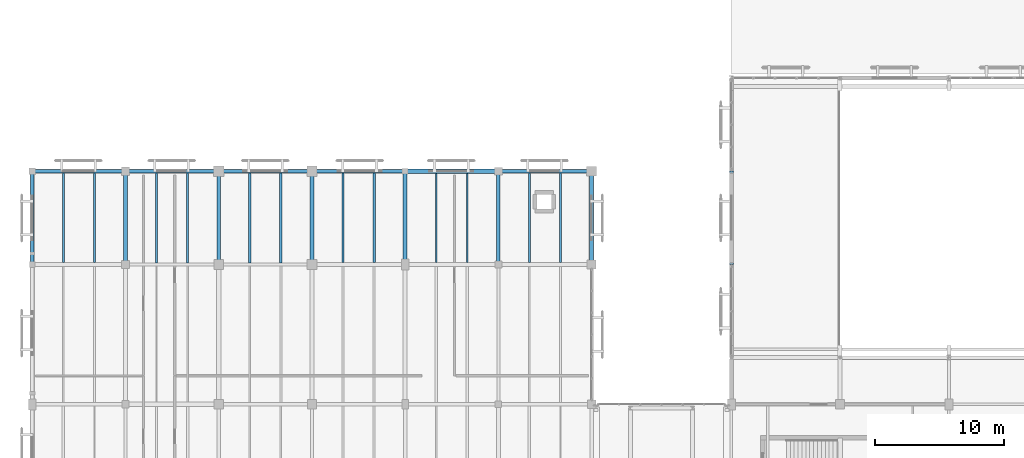
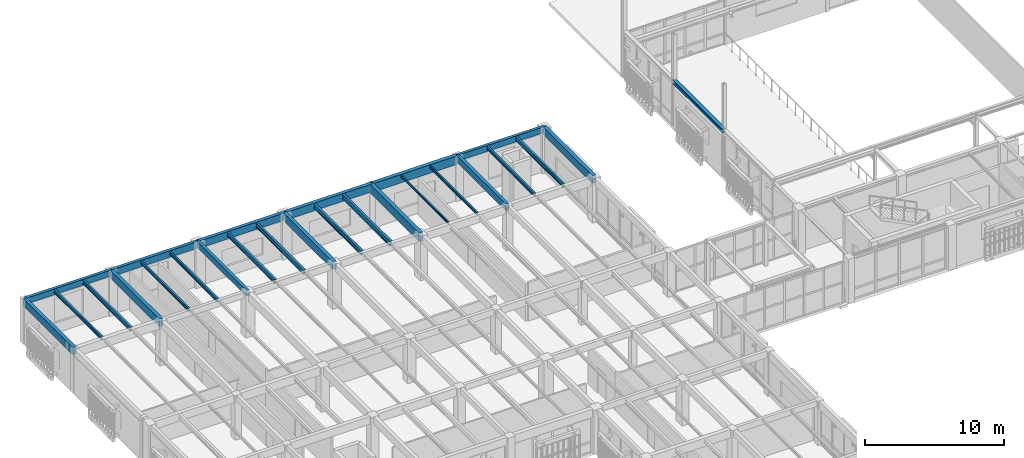
# One storey, part 71 of 170: 26 beams.
"""IFC4 building model written with IfcOpenShell, lengths in metres."""

from ifc_helpers import new_model, si_unit, direction, frame, origin, origin_2d, place, context, subcontext, project, spatial, rectangle, i_section, extrude, material, material_profile, profile_set, type_object, element, save


model = new_model("IFC4")

# Units and contexts
model_context = context("Model", 3, precision=1e-05, world=origin(), true_north=direction((0.0, 1.0)))
body_context = subcontext(model_context, "Body", "Model", "MODEL_VIEW")
ifc_project = project(units=[si_unit("LENGTHUNIT", "METRE"), si_unit("AREAUNIT", "SQUARE_METRE"), si_unit("VOLUMEUNIT", "CUBIC_METRE"), si_unit("PLANEANGLEUNIT", "RADIAN"), si_unit("MASSUNIT", "GRAM", prefix="KILO")], contexts=[model_context])

# Site, building, storey
site_placement = place(None, origin())
site = spatial("IfcSite", under=ifc_project, at=site_placement, CompositionType="ELEMENT")
building_placement = place(site_placement, origin())
building = spatial("IfcBuilding", under=site, at=building_placement, Name="Mazaris Harbour Polytechnic", CompositionType="ELEMENT")
storey_placement = place(building_placement, frame((0.0, 0.0, 5.39990234375)))
storey = spatial("IfcBuildingStorey", under=building, at=storey_placement, Name="L01", CompositionType="ELEMENT", Elevation=5.39990234375)

# Beams
ifc_material_1 = material(Name="Glulam GL32h", Category="wood")
ifc_material_profile_1 = material_profile(ifc_material_1, rectangle(XDim=0.239990234375, YDim=0.52001953125, at=origin_2d()), Name="RECT240x520")
ifc_profile_set_1 = profile_set([ifc_material_profile_1], Name="Glulam GL32h")
beam_type_1 = type_object("IfcBeamType", Name="Glulam Girder 240x520", PredefinedType="BEAM", material=ifc_profile_set_1)
beam_1_placement = place(storey_placement, frame((14.39990234375, 93.60009765625, 3.630126953125), z_axis=(0.0, 1.0, 0.0), x_axis=(-1.0, 0.0, 0.0)))
element("IfcBeam", 1, at=beam_1_placement, inside=storey, type_object=beam_type_1, Name="V4 L01 Tie Girder 1730", PredefinedType="BEAM", context=body_context, shape_type="SweptSolid", body=[
    extrude(rectangle(XDim=0.239990234375, YDim=0.52001953125, at=origin_2d()), origin(), (0.0, 0.0, 1.0), 7.199951171875),
])
ifc_material_2 = material(Name="Glulam GL32h", Category="wood")
ifc_material_profile_2 = material_profile(ifc_material_2, rectangle(XDim=0.239990234375, YDim=0.52001953125, at=origin_2d()), Name="RECT240x520")
ifc_profile_set_2 = profile_set([ifc_material_profile_2], Name="Glulam GL32h")
beam_type_2 = type_object("IfcBeamType", Name="Glulam Girder 240x520 Exterior", PredefinedType="BEAM", material=ifc_profile_set_2)
for number, where, z_axis, x_axis, name in (
    (2, (0.0, 100.800048828125, 3.630126953125), (1.0, 0.0, 0.0), (0.0, 1.0, 0.0), "V4 L01 Girder 1690"),
    (3, (36.0, 100.800048828125, 3.630126953125), (1.0, 0.0, 0.0), (0.0, 1.0, 0.0), "V4 L01 Girder 1695"),
):
    element("IfcBeam", number, at=place(storey_placement, frame(where, z_axis=z_axis, x_axis=x_axis)), inside=storey, type_object=beam_type_2, Name=name, PredefinedType="BEAM", context=body_context, shape_type="SweptSolid", body=[
        extrude(rectangle(XDim=0.239990234375, YDim=0.52001953125, at=origin_2d()), origin(), (0.0, 0.0, 1.0), 7.199951171875),
    ])
ifc_material_3 = material(Name="Glulam GL32h", Category="wood")
ifc_material_profile_3 = material_profile(ifc_material_3, rectangle(XDim=0.260009765625, YDim=0.580078125, at=origin_2d()), Name="RECT260x580")
ifc_profile_set_3 = profile_set([ifc_material_profile_3], Name="Glulam GL32h")
beam_type_3 = type_object("IfcBeamType", Name="Glulam Girder 260x580", PredefinedType="BEAM", material=ifc_profile_set_3)
beam_2_placement = place(storey_placement, frame((36.0, 93.60009765625, 3.60009765625), z_axis=(0.0, 1.0, 0.0), x_axis=(-1.0, 0.0, 0.0)))
element("IfcBeam", 4, at=beam_2_placement, inside=storey, type_object=beam_type_3, Name="V4 L01 Tie Girder 1761", PredefinedType="BEAM", context=body_context, shape_type="SweptSolid", body=[
    extrude(rectangle(XDim=0.260009765625, YDim=0.580078125, at=origin_2d()), origin(), (0.0, 0.0, 1.0), 7.199951171875),
])
ifc_material_4 = material(Name="Glulam GL32h", Category="wood")
ifc_material_profile_4 = material_profile(ifc_material_4, rectangle(XDim=0.260009765625, YDim=0.580078125, at=origin_2d()), Name="RECT260x580")
ifc_profile_set_4 = profile_set([ifc_material_profile_4], Name="Glulam GL32h")
beam_type_4 = type_object("IfcBeamType", Name="Glulam Girder 260x580 Exterior", PredefinedType="BEAM", material=ifc_profile_set_4)
beam_3_placement = place(storey_placement, frame((7.199951171875, 100.800048828125, 3.60009765625), z_axis=(1.0, 0.0, 0.0), x_axis=(0.0, 1.0, 0.0)))
element("IfcBeam", 5, at=beam_3_placement, inside=storey, type_object=beam_type_4, Name="V4 L01 Girder 1691", PredefinedType="BEAM", context=body_context, shape_type="SweptSolid", body=[
    extrude(rectangle(XDim=0.260009765625, YDim=0.580078125, at=origin_2d()), origin(), (0.0, 0.0, 1.0), 7.199951171875),
])
ifc_material_5 = material(Name="Glulam GL32h", Category="wood")
ifc_material_profile_5 = material_profile(ifc_material_5, rectangle(XDim=0.280029296875, YDim=0.639892578125, at=origin_2d()), Name="RECT280x640")
ifc_profile_set_5 = profile_set([ifc_material_profile_5], Name="Glulam GL32h")
beam_type_5 = type_object("IfcBeamType", Name="Glulam Girder 280x640 Exterior", PredefinedType="BEAM", material=ifc_profile_set_5)
beam_4_placement = place(storey_placement, frame((14.39990234375, 100.800048828125, 3.570068359375), z_axis=(1.0, 0.0, 0.0), x_axis=(0.0, 1.0, 0.0)))
element("IfcBeam", 6, at=beam_4_placement, inside=storey, type_object=beam_type_5, Name="V4 L01 Girder 1692", PredefinedType="BEAM", context=body_context, shape_type="SweptSolid", body=[
    extrude(rectangle(XDim=0.280029296875, YDim=0.639892578125, at=origin_2d()), origin(), (0.0, 0.0, 1.0), 7.2001953125),
])
beam_5_placement = place(storey_placement, frame((0.0, 93.60009765625, 3.570068359375), z_axis=(0.0, 1.0, 0.0), x_axis=(-1.0, 0.0, 0.0)))
element("IfcBeam", 7, at=beam_5_placement, inside=storey, type_object=beam_type_5, Name="V4 L01 Tie Girder 1707", PredefinedType="BEAM", context=body_context, shape_type="SweptSolid", body=[
    extrude(rectangle(XDim=0.280029296875, YDim=0.639892578125, at=origin_2d()), origin(), (0.0, 0.0, 1.0), 7.199951171875),
])
ifc_material_6 = material(Name="Glulam GL32h", Category="wood")
ifc_material_profile_6 = material_profile(ifc_material_6, rectangle(XDim=0.300048828125, YDim=0.679931640625, at=origin_2d()), Name="RECT300x680")
ifc_profile_set_6 = profile_set([ifc_material_profile_6], Name="Glulam GL32h")
beam_type_6 = type_object("IfcBeamType", Name="Glulam Girder 300x680", PredefinedType="BEAM", material=ifc_profile_set_6)
for number, where, z_axis, x_axis, name in (
    (8, (7.199951171875, 93.60009765625, 3.550048828125), (0.0, 1.0, 0.0), (-1.0, 0.0, 0.0), "V4 L01 Tie Girder 1718"),
    (9, (21.60009765625, 93.60009765625, 3.550048828125), (0.0, 1.0, 0.0), (-1.0, 0.0, 0.0), "V4 L01 Tie Girder 1738"),
):
    element("IfcBeam", number, at=place(storey_placement, frame(where, z_axis=z_axis, x_axis=x_axis)), inside=storey, type_object=beam_type_6, Name=name, PredefinedType="BEAM", context=body_context, shape_type="SweptSolid", body=[
        extrude(rectangle(XDim=0.300048828125, YDim=0.679931640625, at=origin_2d()), origin(), (0.0, 0.0, 1.0), 7.199951171875),
    ])
ifc_material_7 = material(Name="Glulam GL32h", Category="wood")
ifc_material_profile_7 = material_profile(ifc_material_7, rectangle(XDim=0.300048828125, YDim=0.679931640625, at=origin_2d()), Name="RECT300x680")
ifc_profile_set_7 = profile_set([ifc_material_profile_7], Name="Glulam GL32h")
beam_type_7 = type_object("IfcBeamType", Name="Glulam Girder 300x680 Exterior", PredefinedType="BEAM", material=ifc_profile_set_7)
for number, where, z_axis, x_axis, name in (
    (10, (21.60009765625, 100.800048828125, 3.550048828125), (1.0, 0.0, 0.0), (0.0, 1.0, 0.0), "V4 L01 Girder 1693"),
    (11, (43.199951171875, 93.60009765625, 3.550048828125), (0.0, 1.0, 0.0), (-1.0, 0.0, 0.0), "V4 L01 Tie Girder 1773"),
):
    element("IfcBeam", number, at=place(storey_placement, frame(where, z_axis=z_axis, x_axis=x_axis)), inside=storey, type_object=beam_type_7, Name=name, PredefinedType="BEAM", context=body_context, shape_type="SweptSolid", body=[
        extrude(rectangle(XDim=0.300048828125, YDim=0.679931640625, at=origin_2d()), origin(), (0.0, 0.0, 1.0), 7.199951171875),
    ])
ifc_material_8 = material(Name="Glulam GL32h", Category="wood")
ifc_material_profile_8 = material_profile(ifc_material_8, rectangle(XDim=0.320068359375, YDim=0.739990234375, at=origin_2d()), Name="RECT320x740")
ifc_profile_set_8 = profile_set([ifc_material_profile_8], Name="Glulam GL32h")
beam_type_8 = type_object("IfcBeamType", Name="Glulam Girder 320x740", PredefinedType="BEAM", material=ifc_profile_set_8)
beam_6_placement = place(storey_placement, frame((28.800048828125, 93.60009765625, 3.52001953125), z_axis=(0.0, 1.0, 0.0), x_axis=(-1.0, 0.0, 0.0)))
element("IfcBeam", 12, at=beam_6_placement, inside=storey, type_object=beam_type_8, Name="V4 L01 Tie Girder 1749", PredefinedType="BEAM", context=body_context, shape_type="SweptSolid", body=[
    extrude(rectangle(XDim=0.320068359375, YDim=0.739990234375, at=origin_2d()), origin(), (0.0, 0.0, 1.0), 7.199951171875),
])
ifc_material_9 = material(Name="Glulam GL32h", Category="wood")
ifc_material_profile_9 = material_profile(ifc_material_9, rectangle(XDim=0.320068359375, YDim=0.739990234375, at=origin_2d()), Name="RECT320x740")
ifc_profile_set_9 = profile_set([ifc_material_profile_9], Name="Glulam GL32h")
beam_type_9 = type_object("IfcBeamType", Name="Glulam Girder 320x740 Exterior", PredefinedType="BEAM", material=ifc_profile_set_9)
beam_7_placement = place(storey_placement, frame((28.800048828125, 100.800048828125, 3.52001953125), z_axis=(1.0, 0.0, 0.0), x_axis=(0.0, 1.0, 0.0)))
element("IfcBeam", 13, at=beam_7_placement, inside=storey, type_object=beam_type_9, Name="V4 L01 Girder 1694", PredefinedType="BEAM", context=body_context, shape_type="SweptSolid", body=[
    extrude(rectangle(XDim=0.320068359375, YDim=0.739990234375, at=origin_2d()), origin(), (0.0, 0.0, 1.0), 7.199951171875),
])
ifc_material_10 = material(Name="Steel S355", Category="steel")
ifc_material_profile_10 = material_profile(ifc_material_10, i_section(OverallWidth=0.300048828125, OverallDepth=0.330078125, WebThickness=0.009521484375, FlangeThickness=0.0166015625, FilletRadius=0.027099609375, at=origin_2d()), Name="HEA 340")
ifc_profile_set_10 = profile_set([ifc_material_profile_10], Name="Steel S355")
beam_type_10 = type_object("IfcBeamType", Name="Steel Beam HEA340 Exterior", PredefinedType="BEAM", material=ifc_profile_set_10)
beam_8_placement = place(storey_placement, frame((54.0, 93.60009765625, 4.03515625), z_axis=(0.0, 1.0, 0.0), x_axis=(-1.0, 0.0, 0.0)))
element("IfcBeam", 14, at=beam_8_placement, inside=storey, type_object=beam_type_10, Name="V1 L01 Tie Girder 255", PredefinedType="BEAM", context=body_context, shape_type="SweptSolid", body=[
    extrude(i_section(OverallWidth=0.300048828125, OverallDepth=0.330078125, WebThickness=0.009521484375, FlangeThickness=0.0166015625, FilletRadius=0.027099609375, at=origin_2d()), origin(), (0.0, 0.0, 1.0), 7.199951171875),
])
ifc_material_11 = material(Name="Steel S355", Category="steel")
ifc_material_profile_11 = material_profile(ifc_material_11, i_section(OverallWidth=0.10009765625, OverallDepth=0.199951171875, WebThickness=0.005615234375, FlangeThickness=0.008544921875, FilletRadius=0.011962890625, at=origin_2d()), Name="IPE 200")
ifc_profile_set_11 = profile_set([ifc_material_profile_11], Name="Steel S355")
beam_type_11 = type_object("IfcBeamType", Name="Steel Joist IPE200", PredefinedType="JOIST", material=ifc_profile_set_11)
beam_9_placement = place(storey_placement, frame((31.199951171875, 93.75, 3.7900390625), z_axis=(0.0, 1.0, 0.0), x_axis=(-1.0, 0.0, 0.0)))
element("IfcBeam", 15, at=beam_9_placement, inside=storey, type_object=beam_type_11, Name="V4 L01 Floor Joist 1869", PredefinedType="JOIST", context=body_context, shape_type="SweptSolid", body=[
    extrude(i_section(OverallWidth=0.10009765625, OverallDepth=0.199951171875, WebThickness=0.005615234375, FlangeThickness=0.008544921875, FilletRadius=0.011962890625, at=origin_2d()), origin(), (0.0, 0.0, 1.0), 6.889892578125),
])
ifc_material_12 = material(Name="Steel S355", Category="steel")
ifc_material_profile_12 = material_profile(ifc_material_12, i_section(OverallWidth=0.1201171875, OverallDepth=0.239990234375, WebThickness=0.006103515625, FlangeThickness=0.009765625, FilletRadius=0.014892578125, at=origin_2d()), Name="IPE 240")
ifc_profile_set_12 = profile_set([ifc_material_profile_12], Name="Steel S355")
beam_type_12 = type_object("IfcBeamType", Name="Steel Joist IPE240", PredefinedType="JOIST", material=ifc_profile_set_12)
beam_10_placement = place(storey_placement, frame((33.60009765625, 93.75, 3.77001953125), z_axis=(0.0, 1.0, 0.0), x_axis=(-1.0, 0.0, 0.0)))
element("IfcBeam", 16, at=beam_10_placement, inside=storey, type_object=beam_type_12, Name="V4 L01 Floor Joist 1870", PredefinedType="JOIST", context=body_context, shape_type="SweptSolid", body=[
    extrude(i_section(OverallWidth=0.1201171875, OverallDepth=0.239990234375, WebThickness=0.006103515625, FlangeThickness=0.009765625, FilletRadius=0.014892578125, at=origin_2d()), origin(), (0.0, 0.0, 1.0), 6.889892578125),
])
ifc_material_13 = material(Name="Steel S355", Category="steel")
ifc_material_profile_13 = material_profile(ifc_material_13, i_section(OverallWidth=0.135009765625, OverallDepth=0.27001953125, WebThickness=0.006591796875, FlangeThickness=0.01025390625, FilletRadius=0.014892578125, at=origin_2d()), Name="IPE 270")
ifc_profile_set_13 = profile_set([ifc_material_profile_13], Name="Steel S355")
beam_type_13 = type_object("IfcBeamType", Name="Steel Joist IPE270", PredefinedType="JOIST", material=ifc_profile_set_13)
beam_11_placement = place(storey_placement, frame((9.60009765625, 93.719970703125, 3.755126953125), z_axis=(0.0, 1.0, 0.0), x_axis=(-1.0, 0.0, 0.0)))
element("IfcBeam", 17, at=beam_11_placement, inside=storey, type_object=beam_type_13, Name="V4 L01 Floor Joist 1815", PredefinedType="JOIST", context=body_context, shape_type="SweptSolid", body=[
    extrude(i_section(OverallWidth=0.135009765625, OverallDepth=0.27001953125, WebThickness=0.006591796875, FlangeThickness=0.01025390625, FilletRadius=0.014892578125, at=origin_2d()), origin(), (0.0, 0.0, 1.0), 6.949951171875),
])
ifc_material_14 = material(Name="Steel S355", Category="steel")
ifc_material_profile_14 = material_profile(ifc_material_14, i_section(OverallWidth=0.14990234375, OverallDepth=0.300048828125, WebThickness=0.007080078125, FlangeThickness=0.0107421875, FilletRadius=0.014892578125, at=origin_2d()), Name="IPE 300")
ifc_profile_set_14 = profile_set([ifc_material_profile_14], Name="Steel S355")
beam_type_14 = type_object("IfcBeamType", Name="Steel Joist IPE300", PredefinedType="JOIST", material=ifc_profile_set_14)
beam_12_placement = place(storey_placement, frame((2.39990234375, 93.760009765625, 3.739990234375), z_axis=(0.0, 1.0, 0.0), x_axis=(-1.0, 0.0, 0.0)))
element("IfcBeam", 18, at=beam_12_placement, inside=storey, type_object=beam_type_14, Name="V4 L01 Floor Joist 1795", PredefinedType="JOIST", context=body_context, shape_type="SweptSolid", body=[
    extrude(i_section(OverallWidth=0.14990234375, OverallDepth=0.300048828125, WebThickness=0.007080078125, FlangeThickness=0.0107421875, FilletRadius=0.014892578125, at=origin_2d()), origin(), (0.0, 0.0, 1.0), 6.919921875),
])
beam_13_placement = place(storey_placement, frame((12.0, 93.719970703125, 3.739990234375), z_axis=(0.0, 1.0, 0.0), x_axis=(-1.0, 0.0, 0.0)))
element("IfcBeam", 19, at=beam_13_placement, inside=storey, type_object=beam_type_14, Name="V4 L01 Floor Joist 1816", PredefinedType="JOIST", context=body_context, shape_type="SweptSolid", body=[
    extrude(i_section(OverallWidth=0.14990234375, OverallDepth=0.300048828125, WebThickness=0.007080078125, FlangeThickness=0.0107421875, FilletRadius=0.014892578125, at=origin_2d()), origin(), (0.0, 0.0, 1.0), 6.949951171875),
])
beam_14_placement = place(storey_placement, frame((38.39990234375, 93.760009765625, 3.739990234375), z_axis=(0.0, 1.0, 0.0), x_axis=(-1.0, 0.0, 0.0)))
element("IfcBeam", 20, at=beam_14_placement, inside=storey, type_object=beam_type_14, Name="V4 L01 Floor Joist 1893", PredefinedType="JOIST", context=body_context, shape_type="SweptSolid", body=[
    extrude(i_section(OverallWidth=0.14990234375, OverallDepth=0.300048828125, WebThickness=0.007080078125, FlangeThickness=0.0107421875, FilletRadius=0.014892578125, at=origin_2d()), origin(), (0.0, 0.0, 1.0), 6.919921875),
])
ifc_material_15 = material(Name="Steel S355", Category="steel")
ifc_material_profile_15 = material_profile(ifc_material_15, i_section(OverallWidth=0.169921875, OverallDepth=0.360107421875, WebThickness=0.008056640625, FlangeThickness=0.0126953125, FilletRadius=0.01806640625, at=origin_2d()), Name="IPE 360")
ifc_profile_set_15 = profile_set([ifc_material_profile_15], Name="Steel S355")
beam_type_15 = type_object("IfcBeamType", Name="Steel Joist IPE360", PredefinedType="JOIST", material=ifc_profile_set_15)
beam_15_placement = place(storey_placement, frame((4.800048828125, 93.760009765625, 3.710205078125), z_axis=(0.0, 1.0, 0.0), x_axis=(-1.0, 0.0, 0.0)))
element("IfcBeam", 21, at=beam_15_placement, inside=storey, type_object=beam_type_15, Name="V4 L01 Floor Joist 1796", PredefinedType="JOIST", context=body_context, shape_type="SweptSolid", body=[
    extrude(i_section(OverallWidth=0.169921875, OverallDepth=0.360107421875, WebThickness=0.008056640625, FlangeThickness=0.0126953125, FilletRadius=0.01806640625, at=origin_2d()), origin(), (0.0, 0.0, 1.0), 6.919921875),
])
beam_16_placement = place(storey_placement, frame((16.800048828125, 93.72998046875, 3.710205078125), z_axis=(0.0, 1.0, 0.0), x_axis=(-1.0, 0.0, 0.0)))
element("IfcBeam", 22, at=beam_16_placement, inside=storey, type_object=beam_type_15, Name="V4 L01 Floor Joist 1831", PredefinedType="JOIST", context=body_context, shape_type="SweptSolid", body=[
    extrude(i_section(OverallWidth=0.169921875, OverallDepth=0.360107421875, WebThickness=0.008056640625, FlangeThickness=0.0126953125, FilletRadius=0.01806640625, at=origin_2d()), origin(), (0.0, 0.0, 1.0), 6.929931640625),
])
beam_17_placement = place(storey_placement, frame((40.800048828125, 93.760009765625, 3.710205078125), z_axis=(0.0, 1.0, 0.0), x_axis=(-1.0, 0.0, 0.0)))
element("IfcBeam", 23, at=beam_17_placement, inside=storey, type_object=beam_type_15, Name="V4 L01 Floor Joist 1894", PredefinedType="JOIST", context=body_context, shape_type="SweptSolid", body=[
    extrude(i_section(OverallWidth=0.169921875, OverallDepth=0.360107421875, WebThickness=0.008056640625, FlangeThickness=0.0126953125, FilletRadius=0.01806640625, at=origin_2d()), origin(), (0.0, 0.0, 1.0), 6.919921875),
])
ifc_material_16 = material(Name="Steel S355", Category="steel")
ifc_material_profile_16 = material_profile(ifc_material_16, i_section(OverallWidth=0.179931640625, OverallDepth=0.39990234375, WebThickness=0.008544921875, FlangeThickness=0.013427734375, FilletRadius=0.02099609375, at=origin_2d()), Name="IPE 400")
ifc_profile_set_16 = profile_set([ifc_material_profile_16], Name="Steel S355")
beam_type_16 = type_object("IfcBeamType", Name="Steel Joist IPE400", PredefinedType="JOIST", material=ifc_profile_set_16)
beam_18_placement = place(storey_placement, frame((19.199951171875, 93.72998046875, 3.690185546875), z_axis=(0.0, 1.0, 0.0), x_axis=(-1.0, 0.0, 0.0)))
element("IfcBeam", 24, at=beam_18_placement, inside=storey, type_object=beam_type_16, Name="V4 L01 Floor Joist 1832", PredefinedType="JOIST", context=body_context, shape_type="SweptSolid", body=[
    extrude(i_section(OverallWidth=0.179931640625, OverallDepth=0.39990234375, WebThickness=0.008544921875, FlangeThickness=0.013427734375, FilletRadius=0.02099609375, at=origin_2d()), origin(), (0.0, 0.0, 1.0), 6.929931640625),
])
beam_19_placement = place(storey_placement, frame((24.0, 93.739990234375, 3.690185546875), z_axis=(0.0, 1.0, 0.0), x_axis=(-1.0, 0.0, 0.0)))
element("IfcBeam", 25, at=beam_19_placement, inside=storey, type_object=beam_type_16, Name="V4 L01 Floor Joist 1846", PredefinedType="JOIST", context=body_context, shape_type="SweptSolid", body=[
    extrude(i_section(OverallWidth=0.179931640625, OverallDepth=0.39990234375, WebThickness=0.008544921875, FlangeThickness=0.013427734375, FilletRadius=0.02099609375, at=origin_2d()), origin(), (0.0, 0.0, 1.0), 6.909912109375),
])
ifc_material_17 = material(Name="Steel S355", Category="steel")
ifc_material_profile_17 = material_profile(ifc_material_17, i_section(OverallWidth=0.18994140625, OverallDepth=0.449951171875, WebThickness=0.009521484375, FlangeThickness=0.0146484375, FilletRadius=0.02099609375, at=origin_2d()), Name="IPE 450")
ifc_profile_set_17 = profile_set([ifc_material_profile_17], Name="Steel S355")
beam_type_17 = type_object("IfcBeamType", Name="Steel Joist IPE450", PredefinedType="JOIST", material=ifc_profile_set_17)
beam_20_placement = place(storey_placement, frame((26.39990234375, 93.739990234375, 3.6650390625), z_axis=(0.0, 1.0, 0.0), x_axis=(-1.0, 0.0, 0.0)))
element("IfcBeam", 26, at=beam_20_placement, inside=storey, type_object=beam_type_17, Name="V4 L01 Floor Joist 1847", PredefinedType="JOIST", context=body_context, shape_type="SweptSolid", body=[
    extrude(i_section(OverallWidth=0.18994140625, OverallDepth=0.449951171875, WebThickness=0.009521484375, FlangeThickness=0.0146484375, FilletRadius=0.02099609375, at=origin_2d()), origin(), (0.0, 0.0, 1.0), 6.909912109375),
])

save(model, "model.ifc")
